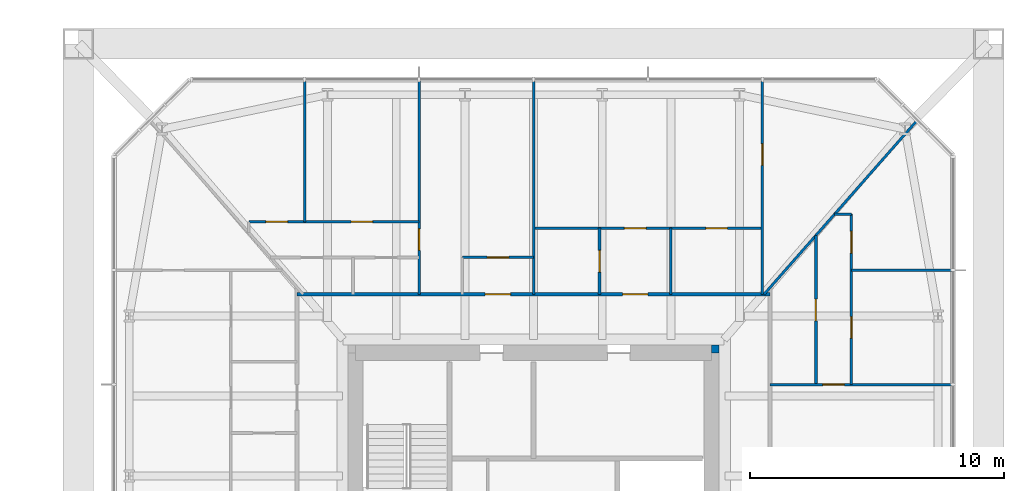
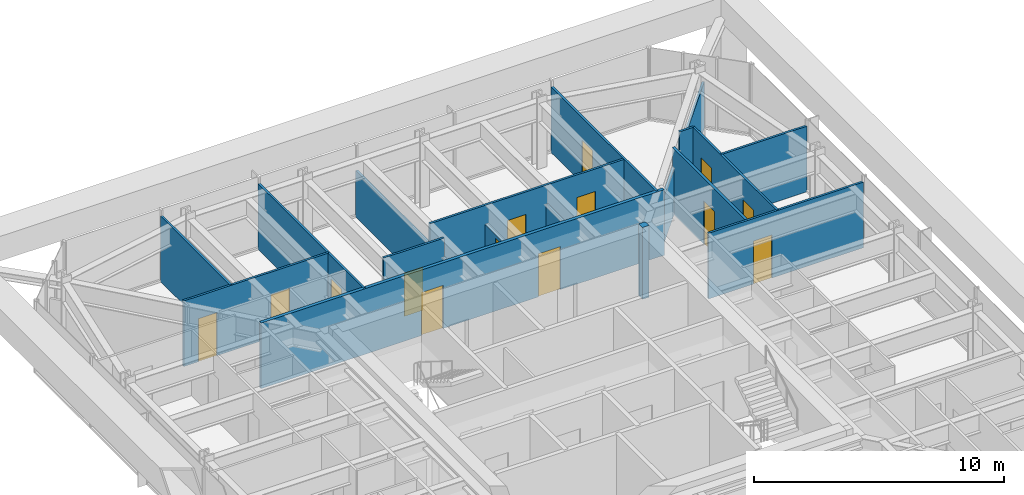
# One storey, part 27 of 32: 17 walls, 14 doors, 14 openings.
"""IFC4 building model written with IfcOpenShell, lengths in metres."""

from ifc_helpers import new_model, si_unit, direction, frame, frame_2d, origin, place, context, subcontext, project, spatial, rectangle, extrude, material, layer, layer_set, type_object, element, fill, save


model = new_model("IFC4")

# Units and contexts
model_context = context("Model", 3, precision=1e-05, world=origin(), true_north=direction((0.0, 1.0)))
body_context = subcontext(model_context, "Body", "Model", "MODEL_VIEW")
ifc_project = project(units=[si_unit("LENGTHUNIT", "METRE"), si_unit("AREAUNIT", "SQUARE_METRE"), si_unit("VOLUMEUNIT", "CUBIC_METRE"), si_unit("PLANEANGLEUNIT", "RADIAN"), si_unit("MASSUNIT", "GRAM", prefix="KILO")], contexts=[model_context])

# Site, building, storey
site_placement = place(None, origin())
site = spatial("IfcSite", under=ifc_project, at=site_placement, CompositionType="ELEMENT")
building_placement = place(site_placement, origin())
building = spatial("IfcBuilding", under=site, at=building_placement, Name="Iwan Alto Co-Living Towers", CompositionType="ELEMENT")
storey_placement = place(building_placement, frame((0.0, 0.0, 71.0)))
storey = spatial("IfcBuildingStorey", under=building, at=storey_placement, Name="L19", CompositionType="ELEMENT", Elevation=71.0)

# Wall, openings, doors
ifc_material_1 = material(Name="Gypsum board")
ifc_layer_1 = layer(ifc_material_1, 0.02490234375, Name="Board", Category="Finish")
ifc_material_2 = material(Name="Steel ASTM A1003 ST33H cold-formed studs", Category="steel")
ifc_layer_2 = layer(ifc_material_2, 0.10009765625, Name="Studs", Category="Framing")
ifc_layer_3 = layer(ifc_material_1, 0.02490234375, Name="Board", Category="Finish")
ifc_layer_set_1 = layer_set([ifc_layer_1, ifc_layer_2, ifc_layer_3], Name="CORRIDOR WALL 150")
wall_type_1 = type_object("IfcWallType", Name="CORRIDOR WALL 150", PredefinedType="PARTITIONING", material=ifc_layer_set_1)
wall_1_placement = place(storey_placement, frame((53.699951171875, 10.300048828125, 0.0), z_axis=(0.0, 0.0, 1.0), x_axis=(1.0, 0.0, 0.0)))
wall_1 = element("IfcWall", 1, at=wall_1_placement, inside=storey, type_object=wall_type_1, Name="Partition L19", PredefinedType="PARTITIONING", context=body_context, shape_type="SweptSolid", body=[
    extrude(rectangle(XDim=18.60009765625, YDim=0.14990234375, at=frame_2d((9.300048828125, 0.0))), origin(), (0.0, 0.0, 1.0), 3.199951171875),
])
opening_1_placement = place(wall_1_placement, frame((12.800048828125, 0.0, 0.0)))
opening_1 = element("IfcOpeningElement", 2, at=opening_1_placement, cuts=wall_1, Name="Opening D3", PredefinedType="OPENING", context=body_context, shape_type="SweptSolid", body=[
    extrude(rectangle(XDim=1.0, YDim=2.10009765625, at=frame_2d((0.5, 1.050048828125))), frame((0.0, 0.0849609375, 0.0), z_axis=(0.0, -1.0, 0.0), x_axis=(1.0, 0.0, 0.0)), (0.0, 0.0, 1.0), 0.169921875),
])
opening_2_placement = place(wall_1_placement, frame((7.39990234375, 0.0, 0.0)))
opening_2 = element("IfcOpeningElement", 3, at=opening_2_placement, cuts=wall_1, Name="Opening D3", PredefinedType="OPENING", context=body_context, shape_type="SweptSolid", body=[
    extrude(rectangle(XDim=1.0, YDim=2.10009765625, at=frame_2d((0.5, 1.050048828125))), frame((0.0, 0.0849609375, 0.0), z_axis=(0.0, -1.0, 0.0), x_axis=(1.0, 0.0, 0.0)), (0.0, 0.0, 1.0), 0.169921875),
])
ifc_material_3 = material(Name="Steel frame with timber leaf", Category="steel")
door_type_1 = type_object("IfcDoorType", Name="FLAT ENTRANCE DOOR FD30S 1000X2100", OperationType="SINGLE_SWING_LEFT", PredefinedType="DOOR", material=ifc_material_3)
door_1_placement = place(opening_1_placement, origin())
door_1 = element("IfcDoor", 4, at=door_1_placement, inside=storey, type_object=door_type_1, Name="Apartment foyer door L19", OperationType="SINGLE_SWING_LEFT", OverallHeight=2.10009765625, OverallWidth=1.0, PredefinedType="DOOR", context=body_context, shape_type="SweptSolid", body=[
    extrude(rectangle(XDim=1.0, YDim=2.10009765625, at=frame_2d((0.5, 1.050048828125))), frame((0.0, 0.02490234375, 0.0), z_axis=(0.0, -1.0, 0.0), x_axis=(1.0, 0.0, 0.0)), (0.0, 0.0, 1.0), 0.050048828125),
])
fill(opening_1, door_1)
door_2_placement = place(opening_2_placement, origin())
door_2 = element("IfcDoor", 5, at=door_2_placement, inside=storey, type_object=door_type_1, Name="Apartment foyer door L19", OperationType="SINGLE_SWING_LEFT", OverallHeight=2.10009765625, OverallWidth=1.0, PredefinedType="DOOR", context=body_context, shape_type="SweptSolid", body=[
    extrude(rectangle(XDim=1.0, YDim=2.10009765625, at=frame_2d((0.5, 1.050048828125))), frame((0.0, 0.02490234375, 0.0), z_axis=(0.0, -1.0, 0.0), x_axis=(1.0, 0.0, 0.0)), (0.0, 0.0, 1.0), 0.050048828125),
])
fill(opening_2, door_2)

# Wall, opening, door
ifc_layer_4 = layer(ifc_material_1, 0.012451171875, Name="Board", Category="Finish")
ifc_layer_5 = layer(ifc_material_2, 0.074951171875, Name="Studs", Category="Framing")
ifc_layer_6 = layer(ifc_material_1, 0.012451171875, Name="Board", Category="Finish")
ifc_layer_set_2 = layer_set([ifc_layer_4, ifc_layer_5, ifc_layer_6], Name="PARTITION 100")
wall_type_2 = type_object("IfcWallType", Name="PARTITION 100", PredefinedType="PARTITIONING", material=ifc_layer_set_2)
wall_2_placement = place(storey_placement, frame((72.300048828125, 6.75, 0.0), z_axis=(0.0, 0.0, 1.0), x_axis=(1.0, 0.0, 0.0)))
wall_2 = element("IfcWall", 6, at=wall_2_placement, inside=storey, type_object=wall_type_2, Name="Partition L19", PredefinedType="PARTITIONING", context=body_context, shape_type="SweptSolid", body=[
    extrude(rectangle(XDim=7.139892578125, YDim=0.10009765625, at=frame_2d((3.56982421875, 0.0))), origin(), (0.0, 0.0, 1.0), 3.199951171875),
])
opening_3_placement = place(wall_2_placement, frame((2.074951171875, 0.0, 0.0)))
opening_3 = element("IfcOpeningElement", 7, at=opening_3_placement, cuts=wall_2, Name="Opening D2", PredefinedType="OPENING", context=body_context, shape_type="SweptSolid", body=[
    extrude(rectangle(XDim=0.85009765625, YDim=2.10009765625, at=frame_2d((0.425048828125, 1.050048828125))), frame((0.0, 0.06005859375, 0.0), z_axis=(0.0, -1.0, 0.0), x_axis=(1.0, 0.0, 0.0)), (0.0, 0.0, 1.0), 0.1201171875),
])
ifc_material_4 = material(Name="Timber leaf in steel frame", Category="steel")
door_type_2 = type_object("IfcDoorType", Name="ROOM DOOR 850X2100", OperationType="SINGLE_SWING_LEFT", PredefinedType="DOOR", material=ifc_material_4)
door_3_placement = place(opening_3_placement, frame((0.85009765625, 0.0, 0.0), z_axis=(0.0, 0.0, 1.0), x_axis=(-1.0, 0.0, 0.0)))
door_3 = element("IfcDoor", 8, at=door_3_placement, inside=storey, type_object=door_type_2, Name="Apartment hall door L19", OperationType="SINGLE_SWING_RIGHT", OverallHeight=2.10009765625, OverallWidth=0.85009765625, PredefinedType="DOOR", context=body_context, shape_type="SweptSolid", body=[
    extrude(rectangle(XDim=0.85009765625, YDim=2.10009765625, at=frame_2d((0.425048828125, 1.050048828125))), frame((0.0, 0.02490234375, 0.0), z_axis=(0.0, -1.0, 0.0), x_axis=(1.0, 0.0, 0.0)), (0.0, 0.0, 1.0), 0.050048828125),
])
fill(opening_3, door_3)

# Wall
wall_3_placement = place(storey_placement, frame((75.5, 11.25, 0.0), z_axis=(0.0, 0.0, 1.0), x_axis=(1.0, 0.0, 0.0)))
element("IfcWall", 9, at=wall_3_placement, inside=storey, type_object=wall_type_2, Name="Partition L19", PredefinedType="PARTITIONING", context=body_context, shape_type="SweptSolid", body=[
    extrude(rectangle(XDim=3.93994140625, YDim=0.10009765625, at=frame_2d((1.969970703125, 0.0))), origin(), (0.0, 0.0, 1.0), 3.199951171875),
])

# Wall, opening, door
wall_4_placement = place(storey_placement, frame((60.199951171875, 11.75, 0.0), z_axis=(0.0, 0.0, 1.0), x_axis=(1.0, 0.0, 0.0)))
wall_4 = element("IfcWall", 10, at=wall_4_placement, inside=storey, type_object=wall_type_2, Name="Partition L19", PredefinedType="PARTITIONING", context=body_context, shape_type="SweptSolid", body=[
    extrude(rectangle(XDim=2.800048828125, YDim=0.10009765625, at=frame_2d((1.39990234375, 0.0))), origin(), (0.0, 0.0, 1.0), 3.199951171875),
])
opening_4_placement = place(wall_4_placement, frame((0.97509765625, 0.0, 0.0)))
opening_4 = element("IfcOpeningElement", 11, at=opening_4_placement, cuts=wall_4, Name="Opening D2", PredefinedType="OPENING", context=body_context, shape_type="SweptSolid", body=[
    extrude(rectangle(XDim=0.85009765625, YDim=2.10009765625, at=frame_2d((0.425048828125, 1.050048828125))), frame((0.0, 0.06005859375, 0.0), z_axis=(0.0, -1.0, 0.0), x_axis=(1.0, 0.0, 0.0)), (0.0, 0.0, 1.0), 0.1201171875),
])
door_4_placement = place(opening_4_placement, origin())
door_4 = element("IfcDoor", 12, at=door_4_placement, inside=storey, type_object=door_type_2, Name="Apartment foyer door L19", OperationType="SINGLE_SWING_RIGHT", OverallHeight=2.10009765625, OverallWidth=0.85009765625, PredefinedType="DOOR", context=body_context, shape_type="SweptSolid", body=[
    extrude(rectangle(XDim=0.85009765625, YDim=2.10009765625, at=frame_2d((0.425048828125, 1.050048828125))), frame((0.0, 0.02490234375, 0.0), z_axis=(0.0, -1.0, 0.0), x_axis=(1.0, 0.0, 0.0)), (0.0, 0.0, 1.0), 0.050048828125),
])
fill(opening_4, door_4)

# Wall, openings, doors
wall_5_placement = place(storey_placement, frame((63.0, 12.89990234375, 0.0), z_axis=(0.0, 0.0, 1.0), x_axis=(1.0, 0.0, 0.0)))
wall_5 = element("IfcWall", 13, at=wall_5_placement, inside=storey, type_object=wall_type_2, Name="Partition L19", PredefinedType="PARTITIONING", context=body_context, shape_type="SweptSolid", body=[
    extrude(rectangle(XDim=9.0, YDim=0.10009765625, at=frame_2d((4.5, 0.0))), origin(), (0.0, 0.0, 1.0), 3.199951171875),
])
opening_5_placement = place(wall_5_placement, frame((6.77490234375, 0.0, 0.0)))
opening_5 = element("IfcOpeningElement", 14, at=opening_5_placement, cuts=wall_5, Name="Opening D2", PredefinedType="OPENING", context=body_context, shape_type="SweptSolid", body=[
    extrude(rectangle(XDim=0.85009765625, YDim=2.10009765625, at=frame_2d((0.425048828125, 1.050048828125))), frame((0.0, 0.06005859375, 0.0), z_axis=(0.0, -1.0, 0.0), x_axis=(1.0, 0.0, 0.0)), (0.0, 0.0, 1.0), 0.1201171875),
])
opening_6_placement = place(wall_5_placement, frame((3.574951171875, 0.0, 0.0)))
opening_6 = element("IfcOpeningElement", 15, at=opening_6_placement, cuts=wall_5, Name="Opening D2", PredefinedType="OPENING", context=body_context, shape_type="SweptSolid", body=[
    extrude(rectangle(XDim=0.85009765625, YDim=2.10009765625, at=frame_2d((0.425048828125, 1.050048828125))), frame((0.0, 0.06005859375, 0.0), z_axis=(0.0, -1.0, 0.0), x_axis=(1.0, 0.0, 0.0)), (0.0, 0.0, 1.0), 0.1201171875),
])
door_5_placement = place(opening_5_placement, origin())
door_5 = element("IfcDoor", 16, at=door_5_placement, inside=storey, type_object=door_type_2, Name="Kitchen door L19", OperationType="SINGLE_SWING_RIGHT", OverallHeight=2.10009765625, OverallWidth=0.85009765625, PredefinedType="DOOR", context=body_context, shape_type="SweptSolid", body=[
    extrude(rectangle(XDim=0.85009765625, YDim=2.10009765625, at=frame_2d((0.425048828125, 1.050048828125))), frame((0.0, 0.02490234375, 0.0), z_axis=(0.0, -1.0, 0.0), x_axis=(1.0, 0.0, 0.0)), (0.0, 0.0, 1.0), 0.050048828125),
])
fill(opening_5, door_5)
door_6_placement = place(opening_6_placement, origin())
door_6 = element("IfcDoor", 17, at=door_6_placement, inside=storey, type_object=door_type_2, Name="Apartment foyer door L19", OperationType="SINGLE_SWING_LEFT", OverallHeight=2.10009765625, OverallWidth=0.85009765625, PredefinedType="DOOR", context=body_context, shape_type="SweptSolid", body=[
    extrude(rectangle(XDim=0.85009765625, YDim=2.10009765625, at=frame_2d((0.425048828125, 1.050048828125))), frame((0.0, 0.02490234375, 0.0), z_axis=(0.0, -1.0, 0.0), x_axis=(1.0, 0.0, 0.0)), (0.0, 0.0, 1.0), 0.050048828125),
])
fill(opening_6, door_6)

wall_6_placement = place(storey_placement, frame((51.800048828125, 13.14990234375, 0.0), z_axis=(0.0, 0.0, 1.0), x_axis=(1.0, 0.0, 0.0)))
wall_6 = element("IfcWall", 18, at=wall_6_placement, inside=storey, type_object=wall_type_2, Name="Partition L19", PredefinedType="PARTITIONING", context=body_context, shape_type="SweptSolid", body=[
    extrude(rectangle(XDim=6.699951171875, YDim=0.10009765625, at=frame_2d((3.35009765625, 0.0))), origin(), (0.0, 0.0, 1.0), 3.199951171875),
])
opening_7_placement = place(wall_6_placement, frame((4.02490234375, 0.0, 0.0)))
opening_7 = element("IfcOpeningElement", 19, at=opening_7_placement, cuts=wall_6, Name="Opening D2", PredefinedType="OPENING", context=body_context, shape_type="SweptSolid", body=[
    extrude(rectangle(XDim=0.85009765625, YDim=2.10009765625, at=frame_2d((0.425048828125, 1.050048828125))), frame((0.0, 0.06005859375, 0.0), z_axis=(0.0, -1.0, 0.0), x_axis=(1.0, 0.0, 0.0)), (0.0, 0.0, 1.0), 0.1201171875),
])
opening_8_placement = place(wall_6_placement, frame((0.675048828125, 0.0, 0.0)))
opening_8 = element("IfcOpeningElement", 20, at=opening_8_placement, cuts=wall_6, Name="Opening D2", PredefinedType="OPENING", context=body_context, shape_type="SweptSolid", body=[
    extrude(rectangle(XDim=0.85009765625, YDim=2.10009765625, at=frame_2d((0.425048828125, 1.050048828125))), frame((0.0, 0.06005859375, 0.0), z_axis=(0.0, -1.0, 0.0), x_axis=(1.0, 0.0, 0.0)), (0.0, 0.0, 1.0), 0.1201171875),
])
door_7_placement = place(opening_7_placement, origin())
door_7 = element("IfcDoor", 21, at=door_7_placement, inside=storey, type_object=door_type_2, Name="Study door L19", OperationType="SINGLE_SWING_LEFT", OverallHeight=2.10009765625, OverallWidth=0.85009765625, PredefinedType="DOOR", context=body_context, shape_type="SweptSolid", body=[
    extrude(rectangle(XDim=0.85009765625, YDim=2.10009765625, at=frame_2d((0.425048828125, 1.050048828125))), frame((0.0, 0.02490234375, 0.0), z_axis=(0.0, -1.0, 0.0), x_axis=(1.0, 0.0, 0.0)), (0.0, 0.0, 1.0), 0.050048828125),
])
fill(opening_7, door_7)
door_8_placement = place(opening_8_placement, origin())
door_8 = element("IfcDoor", 22, at=door_8_placement, inside=storey, type_object=door_type_2, Name="Bedroom door L19", OperationType="SINGLE_SWING_RIGHT", OverallHeight=2.10009765625, OverallWidth=0.85009765625, PredefinedType="DOOR", context=body_context, shape_type="SweptSolid", body=[
    extrude(rectangle(XDim=0.85009765625, YDim=2.10009765625, at=frame_2d((0.425048828125, 1.050048828125))), frame((0.0, 0.02490234375, 0.0), z_axis=(0.0, -1.0, 0.0), x_axis=(1.0, 0.0, 0.0)), (0.0, 0.0, 1.0), 0.050048828125),
])
fill(opening_8, door_8)

# Walls
wall_7_placement = place(storey_placement, frame((74.8359375, 13.449951171875, 0.0), z_axis=(0.0, 0.0, 1.0), x_axis=(1.0, 0.0, 0.0)))
element("IfcWall", 23, at=wall_7_placement, inside=storey, type_object=wall_type_2, Name="Partition L19", PredefinedType="PARTITIONING", context=body_context, shape_type="SweptSolid", body=[
    extrude(rectangle(XDim=0.6640625, YDim=0.10009765625, at=frame_2d((0.33203125, 0.0))), origin(), (0.0, 0.0, 1.0), 3.199951171875),
])
wall_8_placement = place(storey_placement, frame((72.06396484375, 10.300048828125, 0.0), z_axis=(0.0, 0.0, 1.0), x_axis=(0.660700699661, 0.750649442461, 0.0)))
element("IfcWall", 24, at=wall_8_placement, inside=storey, type_object=wall_type_2, Name="Partition L19", PredefinedType="PARTITIONING", context=body_context, shape_type="SweptSolid", body=[
    extrude(rectangle(XDim=9.07080078125, YDim=0.10009765625, at=frame_2d((4.535400390625, 0.0))), origin(), (0.0, 0.0, 1.0), 2.27294921875),
])

# Wall, openings, doors
wall_9_placement = place(storey_placement, frame((75.5, 6.75, 0.0), z_axis=(0.0, 0.0, 1.0), x_axis=(0.0, 1.0, 0.0)))
wall_9 = element("IfcWall", 25, at=wall_9_placement, inside=storey, type_object=wall_type_2, Name="Partition L19", PredefinedType="PARTITIONING", context=body_context, shape_type="SweptSolid", body=[
    extrude(rectangle(XDim=6.699951171875, YDim=0.10009765625, at=frame_2d((3.35009765625, 0.0))), origin(), (0.0, 0.0, 1.0), 3.199951171875),
])
opening_9_placement = place(wall_9_placement, frame((1.824951171875, 0.0, 0.0)))
opening_9 = element("IfcOpeningElement", 26, at=opening_9_placement, cuts=wall_9, Name="Opening D2", PredefinedType="OPENING", context=body_context, shape_type="SweptSolid", body=[
    extrude(rectangle(XDim=0.85009765625, YDim=2.10009765625, at=frame_2d((0.425048828125, 1.050048828125))), frame((0.0, 0.06005859375, 0.0), z_axis=(0.0, -1.0, 0.0), x_axis=(1.0, 0.0, 0.0)), (0.0, 0.0, 1.0), 0.1201171875),
])
opening_10_placement = place(wall_9_placement, frame((5.175048828125, 0.0, 0.0)))
opening_10 = element("IfcOpeningElement", 27, at=opening_10_placement, cuts=wall_9, Name="Opening D2", PredefinedType="OPENING", context=body_context, shape_type="SweptSolid", body=[
    extrude(rectangle(XDim=0.85009765625, YDim=2.10009765625, at=frame_2d((0.425048828125, 1.050048828125))), frame((0.0, 0.06005859375, 0.0), z_axis=(0.0, -1.0, 0.0), x_axis=(1.0, 0.0, 0.0)), (0.0, 0.0, 1.0), 0.1201171875),
])
door_9_placement = place(opening_9_placement, frame((0.85009765625, 0.0, 0.0), z_axis=(0.0, 0.0, 1.0), x_axis=(-1.0, 0.0, 0.0)))
door_9 = element("IfcDoor", 28, at=door_9_placement, inside=storey, type_object=door_type_2, Name="Bedroom door L19", OperationType="SINGLE_SWING_RIGHT", OverallHeight=2.10009765625, OverallWidth=0.85009765625, PredefinedType="DOOR", context=body_context, shape_type="SweptSolid", body=[
    extrude(rectangle(XDim=0.85009765625, YDim=2.10009765625, at=frame_2d((0.425048828125, 1.050048828125))), frame((0.0, 0.02490234375, 0.0), z_axis=(0.0, -1.0, 0.0), x_axis=(1.0, 0.0, 0.0)), (0.0, 0.0, 1.0), 0.050048828125),
])
fill(opening_9, door_9)
door_10_placement = place(opening_10_placement, frame((0.85009765625, 0.0, 0.0), z_axis=(0.0, 0.0, 1.0), x_axis=(-1.0, 0.0, 0.0)))
door_10 = element("IfcDoor", 29, at=door_10_placement, inside=storey, type_object=door_type_2, Name="Study door L19", OperationType="SINGLE_SWING_RIGHT", OverallHeight=2.10009765625, OverallWidth=0.85009765625, PredefinedType="DOOR", context=body_context, shape_type="SweptSolid", body=[
    extrude(rectangle(XDim=0.85009765625, YDim=2.10009765625, at=frame_2d((0.425048828125, 1.050048828125))), frame((0.0, 0.02490234375, 0.0), z_axis=(0.0, -1.0, 0.0), x_axis=(1.0, 0.0, 0.0)), (0.0, 0.0, 1.0), 0.050048828125),
])
fill(opening_10, door_10)

# Wall, opening, door
wall_10_placement = place(storey_placement, frame((72.0, 10.300048828125, 0.0), z_axis=(0.0, 0.0, 1.0), x_axis=(0.0, 1.0, 0.0)))
wall_10 = element("IfcWall", 30, at=wall_10_placement, inside=storey, type_object=wall_type_2, Name="Partition L19", PredefinedType="PARTITIONING", context=body_context, shape_type="SweptSolid", body=[
    extrude(rectangle(XDim=8.389892578125, YDim=0.10009765625, at=frame_2d((4.19482421875, 0.0))), origin(), (0.0, 0.0, 1.0), 3.199951171875),
])
opening_11_placement = place(wall_10_placement, frame((5.070068359375, 0.0, 0.0)))
opening_11 = element("IfcOpeningElement", 31, at=opening_11_placement, cuts=wall_10, Name="Opening D2", PredefinedType="OPENING", context=body_context, shape_type="SweptSolid", body=[
    extrude(rectangle(XDim=0.85009765625, YDim=2.10009765625, at=frame_2d((0.425048828125, 1.050048828125))), frame((0.0, 0.06005859375, 0.0), z_axis=(0.0, -1.0, 0.0), x_axis=(1.0, 0.0, 0.0)), (0.0, 0.0, 1.0), 0.1201171875),
])
door_11_placement = place(opening_11_placement, origin())
door_11 = element("IfcDoor", 32, at=door_11_placement, inside=storey, type_object=door_type_2, Name="Bedroom door L19", OperationType="SINGLE_SWING_LEFT", OverallHeight=2.10009765625, OverallWidth=0.85009765625, PredefinedType="DOOR", context=body_context, shape_type="SweptSolid", body=[
    extrude(rectangle(XDim=0.85009765625, YDim=2.10009765625, at=frame_2d((0.425048828125, 1.050048828125))), frame((0.0, 0.02490234375, 0.0), z_axis=(0.0, -1.0, 0.0), x_axis=(1.0, 0.0, 0.0)), (0.0, 0.0, 1.0), 0.050048828125),
])
fill(opening_11, door_11)

# Walls
wall_11_placement = place(storey_placement, frame((68.39990234375, 10.300048828125, 0.0), z_axis=(0.0, 0.0, 1.0), x_axis=(0.0, 1.0, 0.0)))
element("IfcWall", 33, at=wall_11_placement, inside=storey, type_object=wall_type_2, Name="Partition L19", PredefinedType="PARTITIONING", context=body_context, shape_type="SweptSolid", body=[
    extrude(rectangle(XDim=2.599853515625, YDim=0.10009765625, at=frame_2d((1.2998046875, 0.0))), origin(), (0.0, 0.0, 1.0), 2.27294921875),
])
wall_12_placement = place(storey_placement, frame((63.0, 10.300048828125, 0.0), z_axis=(0.0, 0.0, 1.0), x_axis=(0.0, 1.0, 0.0)))
element("IfcWall", 34, at=wall_12_placement, inside=storey, type_object=wall_type_2, Name="Partition L19", PredefinedType="PARTITIONING", context=body_context, shape_type="SweptSolid", body=[
    extrude(rectangle(XDim=8.389892578125, YDim=0.10009765625, at=frame_2d((4.19482421875, 0.0))), origin(), (0.0, 0.0, 1.0), 2.27294921875),
])

# Wall, opening, door
wall_13_placement = place(storey_placement, frame((58.5, 10.300048828125, 0.0), z_axis=(0.0, 0.0, 1.0), x_axis=(0.0, 1.0, 0.0)))
wall_13 = element("IfcWall", 35, at=wall_13_placement, inside=storey, type_object=wall_type_2, Name="Partition L19", PredefinedType="PARTITIONING", context=body_context, shape_type="SweptSolid", body=[
    extrude(rectangle(XDim=8.389892578125, YDim=0.10009765625, at=frame_2d((4.19482421875, 0.0))), origin(), (0.0, 0.0, 1.0), 3.199951171875),
])
opening_12_placement = place(wall_13_placement, frame((1.72509765625, 0.0, 0.0)))
opening_12 = element("IfcOpeningElement", 36, at=opening_12_placement, cuts=wall_13, Name="Opening D2", PredefinedType="OPENING", context=body_context, shape_type="SweptSolid", body=[
    extrude(rectangle(XDim=0.85009765625, YDim=2.10009765625, at=frame_2d((0.425048828125, 1.050048828125))), frame((0.0, 0.06005859375, 0.0), z_axis=(0.0, -1.0, 0.0), x_axis=(1.0, 0.0, 0.0)), (0.0, 0.0, 1.0), 0.1201171875),
])
door_12_placement = place(opening_12_placement, frame((0.85009765625, 0.0, 0.0), z_axis=(0.0, 0.0, 1.0), x_axis=(-1.0, 0.0, 0.0)))
door_12 = element("IfcDoor", 37, at=door_12_placement, inside=storey, type_object=door_type_2, Name="Apartment hall door L19", OperationType="SINGLE_SWING_RIGHT", OverallHeight=2.10009765625, OverallWidth=0.85009765625, PredefinedType="DOOR", context=body_context, shape_type="SweptSolid", body=[
    extrude(rectangle(XDim=0.85009765625, YDim=2.10009765625, at=frame_2d((0.425048828125, 1.050048828125))), frame((0.0, 0.02490234375, 0.0), z_axis=(0.0, -1.0, 0.0), x_axis=(1.0, 0.0, 0.0)), (0.0, 0.0, 1.0), 0.050048828125),
])
fill(opening_12, door_12)

# Walls
wall_14_placement = place(storey_placement, frame((54.0, 13.14990234375, 0.0), z_axis=(0.0, 0.0, 1.0), x_axis=(0.0, 1.0, 0.0)))
element("IfcWall", 38, at=wall_14_placement, inside=storey, type_object=wall_type_2, Name="Partition L19", PredefinedType="PARTITIONING", context=body_context, shape_type="SweptSolid", body=[
    extrude(rectangle(XDim=5.5400390625, YDim=0.10009765625, at=frame_2d((2.77001953125, 0.0))), origin(), (0.0, 0.0, 1.0), 3.199951171875),
])
ifc_material_5 = material(Name="Concrete f'c 70 MPa", Category="concrete")
ifc_layer_7 = layer(ifc_material_5, 0.300048828125)
ifc_layer_set_3 = layer_set([ifc_layer_7], Name="T2 CORE CORNER FILL 300")
wall_type_3 = type_object("IfcWallType", Name="T2 CORE CORNER FILL 300", PredefinedType="SOLIDWALL", material=ifc_layer_set_3)
wall_15_placement = place(storey_placement, frame((70.0, 8.14990234375, 0.0), z_axis=(0.0, 0.0, 1.0), x_axis=(1.0, 0.0, 0.0)))
element("IfcWall", 39, at=wall_15_placement, inside=storey, type_object=wall_type_3, Name="T2 core corner NE L19", PredefinedType="SOLIDWALL", context=body_context, shape_type="SweptSolid", body=[
    extrude(rectangle(XDim=0.300048828125, YDim=0.300048828125, at=frame_2d((0.14990234375, 0.0))), origin(), (0.0, 0.0, 1.0), 3.5),
])

# Wall, opening, door
ifc_material_6 = material(Name="Cement board")
ifc_layer_8 = layer(ifc_material_6, 0.012451171875, Name="Board", Category="Finish")
ifc_layer_9 = layer(ifc_material_2, 0.094970703125, Name="Studs", Category="Framing")
ifc_layer_10 = layer(ifc_material_6, 0.012451171875, Name="Board", Category="Finish")
ifc_layer_set_4 = layer_set([ifc_layer_8, ifc_layer_9, ifc_layer_10], Name="WET AREA PARTITION 120")
wall_type_4 = type_object("IfcWallType", Name="WET AREA PARTITION 120", PredefinedType="PARTITIONING", material=ifc_layer_set_4)
wall_16_placement = place(storey_placement, frame((74.10009765625, 6.75, 0.0), z_axis=(0.0, 0.0, 1.0), x_axis=(0.0, 1.0, 0.0)))
wall_16 = element("IfcWall", 40, at=wall_16_placement, inside=storey, type_object=wall_type_4, Name="Partition L19", PredefinedType="PARTITIONING", context=body_context, shape_type="SweptSolid", body=[
    extrude(rectangle(XDim=5.864013671875, YDim=0.1201171875, at=frame_2d((2.93212890625, 0.0))), origin(), (0.0, 0.0, 1.0), 3.199951171875),
])
opening_13_placement = place(wall_16_placement, frame((2.507080078125, 0.0, 0.0)))
opening_13 = element("IfcOpeningElement", 41, at=opening_13_placement, cuts=wall_16, Name="Opening D2", PredefinedType="OPENING", context=body_context, shape_type="SweptSolid", body=[
    extrude(rectangle(XDim=0.85009765625, YDim=2.10009765625, at=frame_2d((0.425048828125, 1.050048828125))), frame((0.0, 0.070068359375, 0.0), z_axis=(0.0, -1.0, 0.0), x_axis=(1.0, 0.0, 0.0)), (0.0, 0.0, 1.0), 0.14013671875),
])
door_13_placement = place(opening_13_placement, origin())
door_13 = element("IfcDoor", 42, at=door_13_placement, inside=storey, type_object=door_type_2, Name="Utility room door L19", OperationType="SINGLE_SWING_RIGHT", OverallHeight=2.10009765625, OverallWidth=0.85009765625, PredefinedType="DOOR", context=body_context, shape_type="SweptSolid", body=[
    extrude(rectangle(XDim=0.85009765625, YDim=2.10009765625, at=frame_2d((0.425048828125, 1.050048828125))), frame((0.0, 0.02490234375, 0.0), z_axis=(0.0, -1.0, 0.0), x_axis=(1.0, 0.0, 0.0)), (0.0, 0.0, 1.0), 0.050048828125),
])
fill(opening_13, door_13)

wall_17_placement = place(storey_placement, frame((65.60009765625, 10.300048828125, 0.0), z_axis=(0.0, 0.0, 1.0), x_axis=(0.0, 1.0, 0.0)))
wall_17 = element("IfcWall", 43, at=wall_17_placement, inside=storey, type_object=wall_type_4, Name="Partition L19", PredefinedType="PARTITIONING", context=body_context, shape_type="SweptSolid", body=[
    extrude(rectangle(XDim=2.599853515625, YDim=0.1201171875, at=frame_2d((1.2998046875, 0.0))), origin(), (0.0, 0.0, 1.0), 2.27294921875),
])
opening_14_placement = place(wall_17_placement, frame((0.875, 0.0, 0.0)))
opening_14 = element("IfcOpeningElement", 44, at=opening_14_placement, cuts=wall_17, Name="Opening D2", PredefinedType="OPENING", context=body_context, shape_type="SweptSolid", body=[
    extrude(rectangle(XDim=0.85009765625, YDim=2.10009765625, at=frame_2d((0.425048828125, 1.050048828125))), frame((0.0, 0.070068359375, 0.0), z_axis=(0.0, -1.0, 0.0), x_axis=(1.0, 0.0, 0.0)), (0.0, 0.0, 1.0), 0.14013671875),
])
door_14_placement = place(opening_14_placement, origin())
door_14 = element("IfcDoor", 45, at=door_14_placement, inside=storey, type_object=door_type_2, Name="Bathroom door L19", OperationType="SINGLE_SWING_LEFT", OverallHeight=2.10009765625, OverallWidth=0.85009765625, PredefinedType="DOOR", context=body_context, shape_type="SweptSolid", body=[
    extrude(rectangle(XDim=0.85009765625, YDim=2.10009765625, at=frame_2d((0.425048828125, 1.050048828125))), frame((0.0, 0.02490234375, 0.0), z_axis=(0.0, -1.0, 0.0), x_axis=(1.0, 0.0, 0.0)), (0.0, 0.0, 1.0), 0.050048828125),
])
fill(opening_14, door_14)

save(model, "model.ifc")
